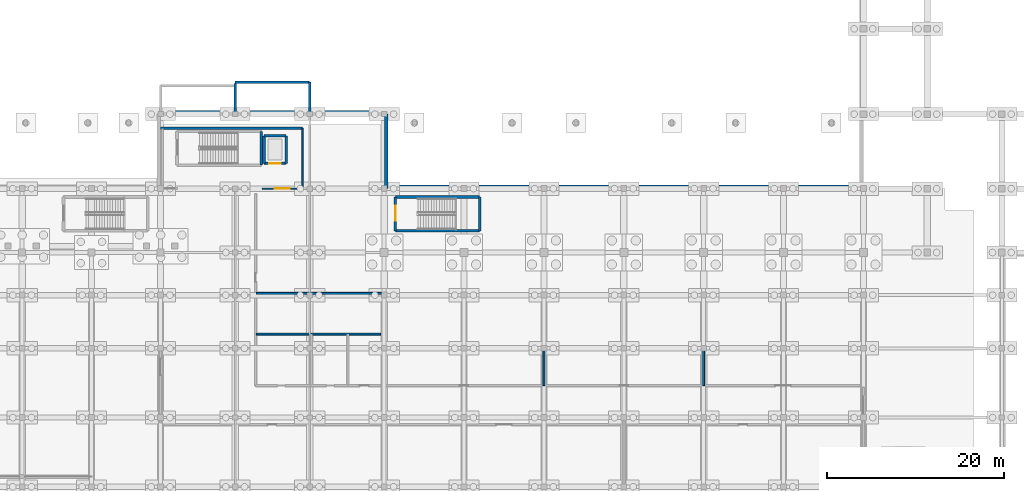
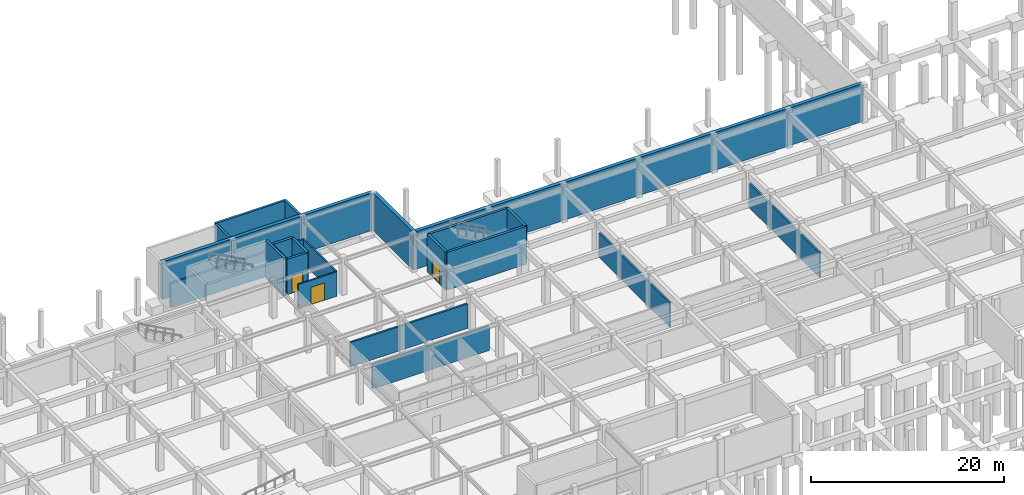
# One storey, part 19 of 26: 22 walls, 3 doors, 3 openings.
"""IFC4 building model written with IfcOpenShell, lengths in metres."""

from ifc_helpers import new_model, si_unit, direction, frame, frame_2d, origin, place, context, subcontext, project, spatial, rectangle, extrude, material, layer, layer_set, type_object, element, fill, save


model = new_model("IFC4")

# Units and contexts
model_context = context("Model", 3, precision=1e-05, world=origin(), true_north=direction((0.0, 1.0)))
body_context = subcontext(model_context, "Body", "Model", "MODEL_VIEW")
ifc_project = project(units=[si_unit("LENGTHUNIT", "METRE"), si_unit("AREAUNIT", "SQUARE_METRE"), si_unit("VOLUMEUNIT", "CUBIC_METRE"), si_unit("PLANEANGLEUNIT", "RADIAN"), si_unit("MASSUNIT", "GRAM", prefix="KILO")], contexts=[model_context])

# Site, building, storey
site_placement = place(None, origin())
site = spatial("IfcSite", under=ifc_project, at=site_placement, CompositionType="ELEMENT")
building_placement = place(site_placement, origin())
building = spatial("IfcBuilding", under=site, at=building_placement, Name="Tizgana Railside Sports Hall", CompositionType="ELEMENT")
storey_placement = place(building_placement, frame((0.0, 0.0, -4.800048828125)))
storey = spatial("IfcBuildingStorey", under=building, at=storey_placement, Name="B1", CompositionType="ELEMENT", Elevation=-4.800048828125)

# Walls
ifc_material_1 = material(Name="Concrete C35/45", Category="concrete")
ifc_layer_1 = layer(ifc_material_1, 0.419921875, Name="Concrete C35/45")
ifc_layer_set_1 = layer_set([ifc_layer_1], Name="Concrete C35/45")
wall_type_1 = type_object("IfcWallType", Name="Basement Retaining Wall 420", PredefinedType="USERDEFINED", material=ifc_layer_set_1)
wall_1_placement = place(storey_placement, frame((133.800048828125, 80.6201171875, 0.0), z_axis=(0.0, 0.0, 1.0), x_axis=(-1.0, 0.0, 0.0)))
element("IfcWall", 1, at=wall_1_placement, inside=storey, type_object=wall_type_1, Name="B1 Retaining Wall WAL-0009", ObjectType="RETAINING", PredefinedType="USERDEFINED", context=body_context, shape_type="SweptSolid", body=[
    extrude(rectangle(XDim=54.0, YDim=0.419921875, at=frame_2d((27.0, 0.0))), origin(), (0.0, 0.0, 1.0), 4.780029296875),
])
wall_2_placement = place(storey_placement, frame((80.02001953125, 80.39990234375, 0.0), z_axis=(0.0, 0.0, 1.0), x_axis=(0.0, 1.0, 0.0)))
element("IfcWall", 2, at=wall_2_placement, inside=storey, type_object=wall_type_1, Name="B1 Retaining Wall WAL-0010", ObjectType="RETAINING", PredefinedType="USERDEFINED", context=body_context, shape_type="SweptSolid", body=[
    extrude(rectangle(XDim=8.400146484375, YDim=0.419921875, at=frame_2d((4.2001953125, 0.0))), origin(), (0.0, 0.0, 1.0), 4.780029296875),
])
wall_3_placement = place(storey_placement, frame((79.800048828125, 89.02001953125, 0.0), z_axis=(0.0, 0.0, 1.0), x_axis=(-1.0, 0.0, 0.0)))
element("IfcWall", 3, at=wall_3_placement, inside=storey, type_object=wall_type_1, Name="B1 Retaining Wall WAL-0011", ObjectType="RETAINING", PredefinedType="USERDEFINED", context=body_context, shape_type="SweptSolid", body=[
    extrude(rectangle(XDim=25.199951171875, YDim=0.419921875, at=frame_2d((12.60009765625, 0.0))), origin(), (0.0, 0.0, 1.0), 4.780029296875),
])
ifc_material_2 = material(Name="Concrete C40/50", Category="concrete")
ifc_layer_2 = layer(ifc_material_2, 0.300048828125, Name="Concrete C40/50")
ifc_layer_set_2 = layer_set([ifc_layer_2], Name="Concrete C40/50")
wall_type_2 = type_object("IfcWallType", Name="Core Shear Wall 300", PredefinedType="SHEAR", material=ifc_layer_set_2)
wall_4_placement = place(storey_placement, frame((65.949951171875, 83.050048828125, 0.0), z_axis=(0.0, 0.0, 1.0), x_axis=(0.0, 1.0, 0.0)))
element("IfcWall", 4, at=wall_4_placement, inside=storey, type_object=wall_type_2, Name="B1 C4 Shaft Wall E", PredefinedType="SHEAR", context=body_context, shape_type="SweptSolid", body=[
    extrude(rectangle(XDim=3.800048828125, YDim=0.300048828125, at=frame_2d((1.89990234375, 0.0))), origin(), (0.0, 0.0, 1.0), 4.800048828125),
])

# Wall, opening, door
wall_5_placement = place(storey_placement, frame((66.25, 83.25, 0.0), z_axis=(0.0, 0.0, 1.0), x_axis=(1.0, 0.0, 0.0)))
wall_5 = element("IfcWall", 5, at=wall_5_placement, inside=storey, type_object=wall_type_2, Name="B1 LF-02 Shaft Wall S", PredefinedType="SHEAR", context=body_context, shape_type="SweptSolid", body=[
    extrude(rectangle(XDim=2.5, YDim=0.300048828125, at=frame_2d((1.25, 0.0))), origin(), (0.0, 0.0, 1.0), 4.47998046875),
])
opening_1_placement = place(wall_5_placement, frame((0.60009765625, 0.0, 0.0)))
opening_1 = element("IfcOpeningElement", 6, at=opening_1_placement, cuts=wall_5, Name="Opening D-0075", PredefinedType="OPENING", context=body_context, shape_type="SweptSolid", body=[
    extrude(rectangle(XDim=1.300048828125, YDim=2.199951171875, at=frame_2d((0.64990234375, 1.10009765625))), frame((0.0, 0.159912109375, 0.0), z_axis=(0.0, -1.0, 0.0), x_axis=(1.0, 0.0, 0.0)), (0.0, 0.0, 1.0), 0.320068359375),
])
ifc_material_3 = material(Name="Brushed stainless steel", Category="steel")
door_type_1 = type_object("IfcDoorType", Name="Stretcher Lift Sliding Door 1300x2200", OperationType="NOTDEFINED", PredefinedType="DOOR", material=ifc_material_3)
door_1_placement = place(opening_1_placement, origin())
door_1 = element("IfcDoor", 7, at=door_1_placement, inside=storey, type_object=door_type_1, Name="B1 Door D-0075", OperationType="DOUBLE_DOOR_SLIDING", OverallHeight=2.199951171875, OverallWidth=1.300048828125, PredefinedType="DOOR", context=body_context, shape_type="SweptSolid", body=[
    extrude(rectangle(XDim=1.300048828125, YDim=2.199951171875, at=frame_2d((0.64990234375, 1.10009765625))), frame((0.0, 0.02490234375, 0.0), z_axis=(0.0, -1.0, 0.0), x_axis=(1.0, 0.0, 0.0)), (0.0, 0.0, 1.0), 0.050048828125),
])
fill(opening_1, door_1)

# Walls
wall_6_placement = place(storey_placement, frame((66.25, 86.35009765625, 0.0), z_axis=(0.0, 0.0, 1.0), x_axis=(1.0, 0.0, 0.0)))
element("IfcWall", 8, at=wall_6_placement, inside=storey, type_object=wall_type_2, Name="B1 LF-02 Shaft Wall N", PredefinedType="SHEAR", context=body_context, shape_type="SweptSolid", body=[
    extrude(rectangle(XDim=2.5, YDim=0.300048828125, at=frame_2d((1.25, 0.0))), origin(), (0.0, 0.0, 1.0), 4.47998046875),
])
for number, where, z_axis, x_axis, name in (
    (9, (66.25, 83.25, 0.0), (0.0, 0.0, 1.0), (0.0, 1.0, 0.0), "B1 LF-02 Shaft Wall W"),
    (10, (68.75, 83.25, 0.0), (0.0, 0.0, 1.0), (0.0, 1.0, 0.0), "B1 LF-02 Shaft Wall E"),
):
    element("IfcWall", number, at=place(storey_placement, frame(where, z_axis=z_axis, x_axis=x_axis)), inside=storey, type_object=wall_type_2, Name=name, PredefinedType="SHEAR", context=body_context, shape_type="SweptSolid", body=[
        extrude(rectangle(XDim=3.10009765625, YDim=0.300048828125, at=frame_2d((1.550048828125, 0.0))), origin(), (0.0, 0.0, 1.0), 4.47998046875),
    ])
for number, where, z_axis, x_axis, name in (
    (11, (90.550048828125, 75.64990234375, 0.0), (0.0, 0.0, 1.0), (-1.0, 0.0, 0.0), "B1 C8 Shaft Wall S"),
    (12, (81.050048828125, 79.449951171875, 0.0), (0.0, 0.0, 1.0), (1.0, 0.0, 0.0), "B1 C8 Shaft Wall N"),
):
    element("IfcWall", number, at=place(storey_placement, frame(where, z_axis=z_axis, x_axis=x_axis)), inside=storey, type_object=wall_type_2, Name=name, PredefinedType="SHEAR", context=body_context, shape_type="SweptSolid", body=[
        extrude(rectangle(XDim=9.5, YDim=0.300048828125, at=frame_2d((4.75, 0.0))), origin(), (0.0, 0.0, 1.0), 4.800048828125),
    ])

# Wall, opening, door
wall_7_placement = place(storey_placement, frame((81.050048828125, 75.64990234375, 0.0), z_axis=(0.0, 0.0, 1.0), x_axis=(0.0, 1.0, 0.0)))
wall_7 = element("IfcWall", 13, at=wall_7_placement, inside=storey, type_object=wall_type_2, Name="B1 C8 Shaft Wall W", PredefinedType="SHEAR", context=body_context, shape_type="SweptSolid", body=[
    extrude(rectangle(XDim=3.800048828125, YDim=0.300048828125, at=frame_2d((1.89990234375, 0.0))), origin(), (0.0, 0.0, 1.0), 4.800048828125),
])
opening_2_placement = place(wall_7_placement, frame((1.14990234375, 0.0, 0.0)))
opening_2 = element("IfcOpeningElement", 14, at=opening_2_placement, cuts=wall_7, Name="Opening D-0093", PredefinedType="OPENING", context=body_context, shape_type="SweptSolid", body=[
    extrude(rectangle(XDim=1.64990234375, YDim=2.199951171875, at=frame_2d((0.824951171875, 1.10009765625))), frame((0.0, 0.159912109375, 0.0), z_axis=(0.0, -1.0, 0.0), x_axis=(1.0, 0.0, 0.0)), (0.0, 0.0, 1.0), 0.320068359375),
])
ifc_material_4 = material(Name="Timber fire leaf", Category="wood")
door_type_2 = type_object("IfcDoorType", Name="Stair Core Double Fire Door 1650x2200", OperationType="NOTDEFINED", PredefinedType="DOOR", material=ifc_material_4)
door_2_placement = place(opening_2_placement, origin())
door_2 = element("IfcDoor", 15, at=door_2_placement, inside=storey, type_object=door_type_2, Name="B1 Door D-0093", OperationType="DOUBLE_DOOR_SINGLE_SWING", OverallHeight=2.199951171875, OverallWidth=1.64990234375, PredefinedType="DOOR", context=body_context, shape_type="SweptSolid", body=[
    extrude(rectangle(XDim=1.64990234375, YDim=2.199951171875, at=frame_2d((0.824951171875, 1.10009765625))), frame((0.0, 0.02490234375, 0.0), z_axis=(0.0, -1.0, 0.0), x_axis=(1.0, 0.0, 0.0)), (0.0, 0.0, 1.0), 0.050048828125),
])
fill(opening_2, door_2)

# Walls
wall_8_placement = place(storey_placement, frame((90.550048828125, 75.64990234375, 0.0), z_axis=(0.0, 0.0, 1.0), x_axis=(0.0, 1.0, 0.0)))
element("IfcWall", 16, at=wall_8_placement, inside=storey, type_object=wall_type_2, Name="B1 C8 Shaft Wall E", PredefinedType="SHEAR", context=body_context, shape_type="SweptSolid", body=[
    extrude(rectangle(XDim=3.800048828125, YDim=0.300048828125, at=frame_2d((1.89990234375, 0.0))), origin(), (0.0, 0.0, 1.0), 4.800048828125),
])
ifc_material_5 = material(Name="Masonry blockwork", Category="masonry")
ifc_layer_3 = layer(ifc_material_5, 0.219970703125, Name="Masonry blockwork")
ifc_layer_set_3 = layer_set([ifc_layer_3], Name="Masonry blockwork")
wall_type_3 = type_object("IfcWallType", Name="Equipment Store Fire Wall 220", PredefinedType="STANDARD", material=ifc_layer_set_3)
wall_9_placement = place(storey_placement, frame((65.39990234375, 68.60009765625, 0.0), z_axis=(0.0, 0.0, 1.0), x_axis=(1.0, 0.0, 0.0)))
element("IfcWall", 17, at=wall_9_placement, inside=storey, type_object=wall_type_3, Name="B1 Partition PWAL-0233", PredefinedType="STANDARD", context=body_context, shape_type="SweptSolid", body=[
    extrude(rectangle(XDim=14.065185546875, YDim=0.219970703125, at=frame_2d((7.03271484375, 0.0))), origin(), (0.0, 0.0, 1.0), 3.10009765625),
])
wall_10_placement = place(storey_placement, frame((65.39990234375, 64.0, 0.0), z_axis=(0.0, 0.0, 1.0), x_axis=(1.0, 0.0, 0.0)))
element("IfcWall", 18, at=wall_10_placement, inside=storey, type_object=wall_type_3, Name="B1 Partition PWAL-0236", PredefinedType="STANDARD", context=body_context, shape_type="SweptSolid", body=[
    extrude(rectangle(XDim=14.0, YDim=0.219970703125, at=frame_2d((7.0, 0.0))), origin(), (0.0, 0.0, 1.0), 3.10009765625),
])
for number, where, z_axis, x_axis, name in (
    (19, (97.800048828125, 58.199951171875, 0.0), (0.0, 0.0, 1.0), (0.0, 1.0, 0.0), "B1 Partition PWAL-0243"),
    (20, (115.800048828125, 58.199951171875, 0.0), (0.0, 0.0, 1.0), (0.0, 1.0, 0.0), "B1 Partition PWAL-0244"),
):
    element("IfcWall", number, at=place(storey_placement, frame(where, z_axis=z_axis, x_axis=x_axis)), inside=storey, type_object=wall_type_3, Name=name, PredefinedType="STANDARD", context=body_context, shape_type="SweptSolid", body=[
        extrude(rectangle(XDim=14.699951171875, YDim=0.219970703125, at=frame_2d((7.35009765625, 0.0))), origin(), (0.0, 0.0, 1.0), 3.10009765625),
    ])
ifc_material_6 = material(Name="Precast concrete C40/50", Category="concrete")
ifc_layer_4 = layer(ifc_material_6, 0.27001953125, Name="Precast concrete C40/50")
ifc_layer_set_4 = layer_set([ifc_layer_4], Name="Precast concrete C40/50")
wall_type_4 = type_object("IfcWallType", Name="Exterior Studio Facade Wall 270", PredefinedType="STANDARD", material=ifc_layer_set_4)
wall_11_placement = place(storey_placement, frame((63.0, 88.800048828125, 0.0), z_axis=(0.0, 0.0, 1.0), x_axis=(0.0, 1.0, 0.0)))
element("IfcWall", 21, at=wall_11_placement, inside=storey, type_object=wall_type_4, Name="B1 Apron Plinth", PredefinedType="STANDARD", context=body_context, shape_type="SweptSolid", body=[
    extrude(rectangle(XDim=3.4599609375, YDim=0.27001953125, at=frame_2d((1.72998046875, 0.0))), origin(), (0.0, 0.0, 1.0), 4.630126953125),
])
wall_12_placement = place(storey_placement, frame((71.39990234375, 88.800048828125, 0.0), z_axis=(0.0, 0.0, 1.0), x_axis=(0.0, 1.0, 0.0)))
element("IfcWall", 22, at=wall_12_placement, inside=storey, type_object=wall_type_4, Name="B1 Apron Plinth", PredefinedType="STANDARD", context=body_context, shape_type="SweptSolid", body=[
    extrude(rectangle(XDim=3.599853515625, YDim=0.27001953125, at=frame_2d((1.7998046875, 0.0))), origin(), (0.0, 0.0, 1.0), 4.630126953125),
])
wall_13_placement = place(storey_placement, frame((71.39990234375, 92.39990234375, 0.0), z_axis=(0.0, 0.0, 1.0), x_axis=(-1.0, 0.0, 0.0)))
element("IfcWall", 23, at=wall_13_placement, inside=storey, type_object=wall_type_4, Name="B1 Apron Plinth", PredefinedType="STANDARD", context=body_context, shape_type="SweptSolid", body=[
    extrude(rectangle(XDim=8.39990234375, YDim=0.27001953125, at=frame_2d((4.199951171875, 0.0))), origin(), (0.0, 0.0, 1.0), 4.630126953125),
])
ifc_layer_5 = layer(ifc_material_1, 0.239990234375, Name="Concrete C35/45")
ifc_layer_set_5 = layer_set([ifc_layer_5], Name="Concrete C35/45")
wall_type_5 = type_object("IfcWallType", Name="Firefighting Lobby Wall 240", PredefinedType="STANDARD", material=ifc_layer_set_5)
wall_14_placement = place(storey_placement, frame((54.594970703125, 87.199951171875, 0.0), z_axis=(0.0, 0.0, 1.0), x_axis=(1.0, 0.0, 0.0)))
element("IfcWall", 24, at=wall_14_placement, inside=storey, type_object=wall_type_5, Name="B1 Partition PWAL-0312", PredefinedType="STANDARD", context=body_context, shape_type="SweptSolid", body=[
    extrude(rectangle(XDim=16.005126953125, YDim=0.239990234375, at=frame_2d((8.00244140625, 0.0))), origin(), (0.0, 0.0, 1.0), 3.10009765625),
])
ifc_layer_6 = layer(ifc_material_5, 0.179931640625, Name="Masonry blockwork")
ifc_layer_set_6 = layer_set([ifc_layer_6], Name="Masonry blockwork")
wall_type_6 = type_object("IfcWallType", Name="Riser and Shaft Wall 180", PredefinedType="STANDARD", material=ifc_layer_set_6)
wall_15_placement = place(storey_placement, frame((70.60009765625, 80.39990234375, 0.0), z_axis=(0.0, 0.0, 1.0), x_axis=(0.0, 1.0, 0.0)))
element("IfcWall", 25, at=wall_15_placement, inside=storey, type_object=wall_type_6, Name="B1 Partition PWAL-0313", PredefinedType="STANDARD", context=body_context, shape_type="SweptSolid", body=[
    extrude(rectangle(XDim=6.800048828125, YDim=0.179931640625, at=frame_2d((3.39990234375, 0.0))), origin(), (0.0, 0.0, 1.0), 3.10009765625),
])

# Wall, opening, door
wall_16_placement = place(storey_placement, frame((66.0, 80.39990234375, 0.0), z_axis=(0.0, 0.0, 1.0), x_axis=(1.0, 0.0, 0.0)))
wall_16 = element("IfcWall", 26, at=wall_16_placement, inside=storey, type_object=wall_type_6, Name="B1 Partition PWAL-0314", PredefinedType="STANDARD", context=body_context, shape_type="SweptSolid", body=[
    extrude(rectangle(XDim=4.60009765625, YDim=0.179931640625, at=frame_2d((2.300048828125, 0.0))), origin(), (0.0, 0.0, 1.0), 3.10009765625),
])
opening_3_placement = place(wall_16_placement, frame((1.47509765625, 0.0, 0.0)))
opening_3 = element("IfcOpeningElement", 27, at=opening_3_placement, cuts=wall_16, Name="Opening D-0289", PredefinedType="OPENING", context=body_context, shape_type="SweptSolid", body=[
    extrude(rectangle(XDim=1.64990234375, YDim=2.199951171875, at=frame_2d((0.824951171875, 1.10009765625))), frame((0.0, 0.099853515625, 0.0), z_axis=(0.0, -1.0, 0.0), x_axis=(1.0, 0.0, 0.0)), (0.0, 0.0, 1.0), 0.199951171875),
])
door_3_placement = place(opening_3_placement, origin())
door_3 = element("IfcDoor", 28, at=door_3_placement, inside=storey, type_object=door_type_2, Name="B1 Door D-0289", OperationType="DOUBLE_DOOR_SINGLE_SWING", OverallHeight=2.199951171875, OverallWidth=1.64990234375, PredefinedType="DOOR", context=body_context, shape_type="SweptSolid", body=[
    extrude(rectangle(XDim=1.64990234375, YDim=2.199951171875, at=frame_2d((0.824951171875, 1.10009765625))), frame((0.0, 0.02490234375, 0.0), z_axis=(0.0, -1.0, 0.0), x_axis=(1.0, 0.0, 0.0)), (0.0, 0.0, 1.0), 0.050048828125),
])
fill(opening_3, door_3)

save(model, "model.ifc")
